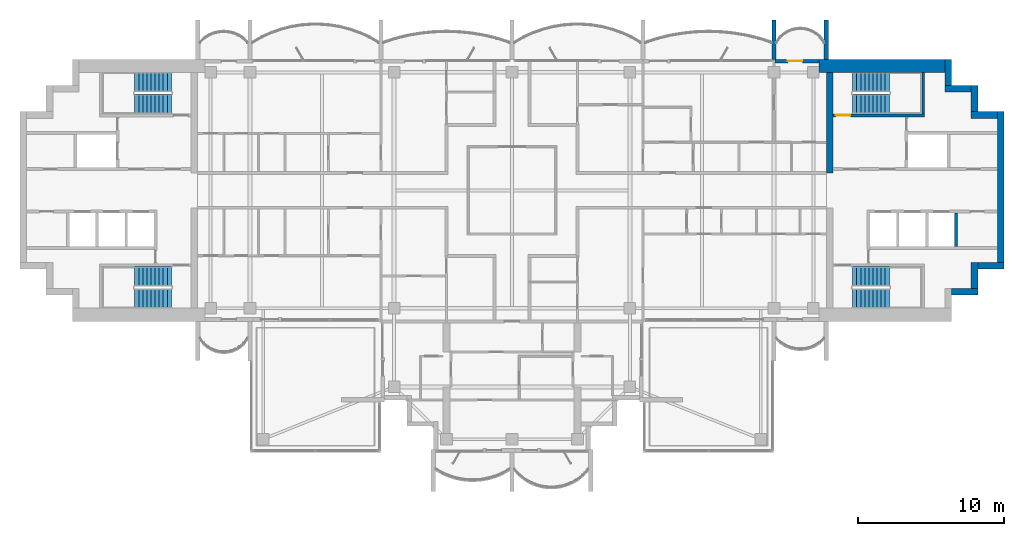
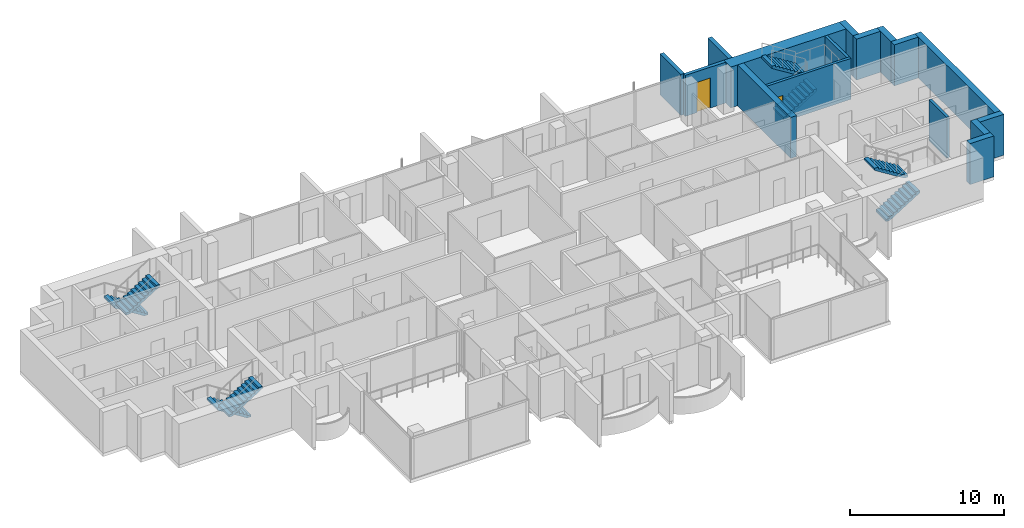
# One storey, part 12 of 16: 16 walls, 8 stair flights, 2 doors, 2 openings, 4 elements without a shape of their own.
"""IFC4 building model written with IfcOpenShell, lengths in metres."""

from ifc_helpers import new_model, si_unit, direction, frame, frame_2d, origin, place, context, subcontext, project, spatial, polyline, rectangle, outline, extrude, material, layer, layer_set, type_object, element, fill, aggregate, save


model = new_model("IFC4")

# Units and contexts
model_context = context("Model", 3, precision=1e-05, world=origin(), true_north=direction((0.0, 1.0)))
body_context = subcontext(model_context, "Body", "Model", "MODEL_VIEW")
ifc_project = project(units=[si_unit("LENGTHUNIT", "METRE"), si_unit("AREAUNIT", "SQUARE_METRE"), si_unit("VOLUMEUNIT", "CUBIC_METRE"), si_unit("PLANEANGLEUNIT", "RADIAN"), si_unit("MASSUNIT", "GRAM", prefix="KILO")], contexts=[model_context])

# Site, building, storey
site_placement = place(None, origin())
site = spatial("IfcSite", under=ifc_project, at=site_placement, CompositionType="ELEMENT")
building_placement = place(site_placement, origin())
building = spatial("IfcBuilding", under=site, at=building_placement, Name="Perihelion Cross Residences", CompositionType="ELEMENT")
storey_placement = place(building_placement, frame((0.0, 0.0, 274.5)))
storey = spatial("IfcBuildingStorey", under=building, at=storey_placement, Name="L70", CompositionType="ELEMENT", Elevation=274.5)

# Wall, opening, door
ifc_material_1 = material(Name="Concrete C30/37, bronze-clad", Category="concrete")
ifc_layer_1 = layer(ifc_material_1, 0.25)
ifc_layer_set_1 = layer_set([ifc_layer_1], Name="Bronze-clad pier wall 250")
wall_type_1 = type_object("IfcWallType", Name="Bronze-clad pier wall 250", PredefinedType="SOLIDWALL", material=ifc_layer_set_1)
wall_1_placement = place(storey_placement, frame((21.10009765625, 8.875, 0.0), z_axis=(0.0, 0.0, 1.0), x_axis=(-1.0, 0.0, 0.0)))
wall_1 = element("IfcWall", 1, at=wall_1_placement, inside=storey, type_object=wall_type_1, Name="Wall FW1 L70 east side north bay 1 pier", PredefinedType="SOLIDWALL", context=body_context, shape_type="SweptSolid", body=[
    extrude(rectangle(XDim=3.0400390625, YDim=0.25, at=frame_2d((1.52001953125, 0.0))), origin(), (0.0, 0.0, 1.0), 3.25),
])
opening_1_placement = place(wall_1_placement, frame((1.14990234375, 0.0, 0.0)))
opening_1 = element("IfcOpeningElement", 2, at=opening_1_placement, cuts=wall_1, Name="Opening L70.E01", PredefinedType="OPENING", context=body_context, shape_type="SweptSolid", body=[
    extrude(rectangle(XDim=1.0, YDim=2.39990234375, at=frame_2d((0.5, 1.199951171875))), frame((0.0, 0.135009765625, 0.0), z_axis=(0.0, -1.0, 0.0), x_axis=(1.0, 0.0, 0.0)), (0.0, 0.0, 1.0), 0.27001953125),
])
ifc_material_2 = material(Name="Bronze anodised aluminium, glazed", Category="aluminium")
door_type_1 = type_object("IfcDoorType", Name="Balcony door 1000 x 2400", OperationType="NOTDEFINED", PredefinedType="DOOR", material=ifc_material_2)
door_1_placement = place(opening_1_placement, origin())
door_1 = element("IfcDoor", 3, at=door_1_placement, inside=storey, type_object=door_type_1, Name="Door L70.E01 east side north bay 1", OperationType="SINGLE_SWING_LEFT", OverallHeight=2.39990234375, OverallWidth=1.0, PredefinedType="DOOR", context=body_context, shape_type="SweptSolid", body=[
    extrude(rectangle(XDim=1.0, YDim=2.39990234375, at=frame_2d((0.5, 1.199951171875))), frame((0.0, 0.02490234375, 0.0), z_axis=(0.0, -1.0, 0.0), x_axis=(1.0, 0.0, 0.0)), (0.0, 0.0, 1.0), 0.050048828125),
])
fill(opening_1, door_1)

# Walls
ifc_material_3 = material(Name="Concrete C60/75", Category="concrete")
ifc_layer_2 = layer(ifc_material_3, 0.449951171875)
ifc_layer_set_2 = layer_set([ifc_layer_2], Name="Core wall, inner 450")
wall_type_2 = type_object("IfcWallType", Name="Core wall, inner 450", PredefinedType="SHEAR", material=ifc_layer_set_2)
wall_2_placement = place(storey_placement, frame((21.824951171875, 1.199951171875, 0.0), z_axis=(0.0, 0.0, 1.0), x_axis=(0.0, 1.0, 0.0)))
element("IfcWall", 4, at=wall_2_placement, inside=storey, type_object=wall_type_2, Name="East core core wall, inner", PredefinedType="SHEAR", context=body_context, shape_type="SweptSolid", body=[
    extrude(rectangle(XDim=6.900146484375, YDim=0.449951171875, at=frame_2d((3.4501953125, 0.0))), origin(), (0.0, 0.0, 1.0), 3.25),
])
ifc_material_4 = material(Name="Concrete C60/75", Category="concrete")
ifc_layer_3 = layer(ifc_material_4, 0.449951171875)
ifc_layer_set_3 = layer_set([ifc_layer_3], Name="Core wall, outer 450")
wall_type_3 = type_object("IfcWallType", Name="Core wall, outer 450", PredefinedType="SHEAR", material=ifc_layer_set_3)
for number, where, z_axis, x_axis, name in (
    (5, (30.199951171875, -6.97509765625, 0.0), (0.0, 0.0, 1.0), (1.0, 0.0, 0.0), "East core core wall, outer"),
    (6, (31.77490234375, -6.75, 0.0), (0.0, 0.0, 1.0), (0.0, 1.0, 0.0), "East core core wall, outer"),
    (7, (32.0, -5.175048828125, 0.0), (0.0, 0.0, 1.0), (1.0, 0.0, 0.0), "East core core wall, outer"),
):
    element("IfcWall", number, at=place(storey_placement, frame(where, z_axis=z_axis, x_axis=x_axis)), inside=storey, type_object=wall_type_3, Name=name, PredefinedType="SHEAR", context=body_context, shape_type="SweptSolid", body=[
        extrude(rectangle(XDim=1.800048828125, YDim=0.449951171875, at=frame_2d((0.89990234375, 0.0))), origin(), (0.0, 0.0, 1.0), 3.25),
    ])
wall_3_placement = place(storey_placement, frame((33.574951171875, -4.949951171875, 0.0), z_axis=(0.0, 0.0, 1.0), x_axis=(0.0, 1.0, 0.0)))
element("IfcWall", 8, at=wall_3_placement, inside=storey, type_object=wall_type_3, Name="East core core wall, outer", PredefinedType="SHEAR", context=body_context, shape_type="SweptSolid", body=[
    extrude(rectangle(XDim=10.349853515625, YDim=0.449951171875, at=frame_2d((5.1748046875, 0.0))), origin(), (0.0, 0.0, 1.0), 3.25),
])
for number, where, z_axis, x_axis, name in (
    (9, (31.550048828125, 5.175048828125, 0.0), (0.0, 0.0, 1.0), (1.0, 0.0, 0.0), "East core core wall, outer"),
    (10, (31.77490234375, 5.39990234375, 0.0), (0.0, 0.0, 1.0), (0.0, 1.0, 0.0), "East core core wall, outer"),
    (11, (29.75, 6.97509765625, 0.0), (0.0, 0.0, 1.0), (1.0, 0.0, 0.0), "East core core wall, outer"),
    (12, (29.97509765625, 7.199951171875, 0.0), (0.0, 0.0, 1.0), (0.0, 1.0, 0.0), "East core core wall, outer"),
):
    element("IfcWall", number, at=place(storey_placement, frame(where, z_axis=z_axis, x_axis=x_axis)), inside=storey, type_object=wall_type_3, Name=name, PredefinedType="SHEAR", context=body_context, shape_type="SweptSolid", body=[
        extrude(rectangle(XDim=1.800048828125, YDim=0.449951171875, at=frame_2d((0.89990234375, 0.0))), origin(), (0.0, 0.0, 1.0), 3.25),
    ])
ifc_material_5 = material(Name="Concrete C60/75", Category="concrete")
ifc_layer_4 = layer(ifc_material_5, 0.89990234375)
ifc_layer_set_4 = layer_set([ifc_layer_4], Name="Core wall, outer 900")
wall_type_4 = type_object("IfcWallType", Name="Core wall, outer 900", PredefinedType="SHEAR", material=ifc_layer_set_4)
wall_4_placement = place(storey_placement, frame((21.10009765625, 8.550048828125, 0.0), z_axis=(0.0, 0.0, 1.0), x_axis=(1.0, 0.0, 0.0)))
element("IfcWall", 13, at=wall_4_placement, inside=storey, type_object=wall_type_4, Name="East core core wall, outer", PredefinedType="SHEAR", context=body_context, shape_type="SweptSolid", body=[
    extrude(rectangle(XDim=8.64990234375, YDim=0.89990234375, at=frame_2d((4.324951171875, 0.0))), origin(), (0.0, 0.0, 1.0), 3.25),
])
ifc_material_6 = material(Name="Precast concrete C50/60", Category="concrete")
ifc_layer_5 = layer(ifc_material_6, 0.300048828125)
ifc_layer_set_5 = layer_set([ifc_layer_5], Name="Precast concrete C50/60 blade wall 300")
wall_type_5 = type_object("IfcWallType", Name="Precast concrete C50/60 blade wall 300", PredefinedType="SOLIDWALL", material=ifc_layer_set_5)
for number, where, z_axis, x_axis, name in (
    (14, (18.0, 9.0, 0.0), (0.0, 0.0, 1.0), (0.0, 1.0, 0.0), "Wall BL1 L70 no. 11"),
    (15, (21.60009765625, 9.0, 0.0), (0.0, 0.0, 1.0), (0.0, 1.0, 0.0), "Wall BL1 L70 no. 13"),
):
    element("IfcWall", number, at=place(storey_placement, frame(where, z_axis=z_axis, x_axis=x_axis)), inside=storey, type_object=wall_type_5, Name=name, PredefinedType="SOLIDWALL", context=body_context, shape_type="SweptSolid", body=[
        extrude(rectangle(XDim=2.699951171875, YDim=0.300048828125, at=frame_2d((1.35009765625, 0.0))), origin(), (0.0, 0.0, 1.0), 3.25),
    ])
ifc_material_7 = material(Name="Concrete C50/60", Category="concrete")
ifc_layer_6 = layer(ifc_material_7, 0.199951171875)
ifc_layer_set_6 = layer_set([ifc_layer_6], Name="Shaft wall 200")
wall_type_6 = type_object("IfcWallType", Name="Shaft wall 200", PredefinedType="SOLIDWALL", material=ifc_layer_set_6)
wall_5_placement = place(storey_placement, frame((30.5, -3.85009765625, 0.0), z_axis=(0.0, 0.0, 1.0), x_axis=(0.0, 1.0, 0.0)))
element("IfcWall", 16, at=wall_5_placement, inside=storey, type_object=wall_type_6, Name="East core shaft wall", PredefinedType="SOLIDWALL", context=body_context, shape_type="SweptSolid", body=[
    extrude(rectangle(XDim=2.300048828125, YDim=0.199951171875, at=frame_2d((1.14990234375, 0.0))), origin(), (0.0, 0.0, 1.0), 3.25),
])

# Wall, opening, door
ifc_material_8 = material(Name="Concrete C50/60", Category="concrete")
ifc_layer_7 = layer(ifc_material_8, 0.199951171875)
ifc_layer_set_7 = layer_set([ifc_layer_7], Name="Stair wall 200")
wall_type_7 = type_object("IfcWallType", Name="Stair wall 200", PredefinedType="SOLIDWALL", material=ifc_layer_set_7)
wall_6_placement = place(storey_placement, frame((22.050048828125, 5.14990234375, 0.0), z_axis=(0.0, 0.0, 1.0), x_axis=(1.0, 0.0, 0.0)))
wall_6 = element("IfcWall", 17, at=wall_6_placement, inside=storey, type_object=wall_type_7, Name="East core stair wall", PredefinedType="SOLIDWALL", context=body_context, shape_type="SweptSolid", body=[
    extrude(rectangle(XDim=6.300048828125, YDim=0.199951171875, at=frame_2d((3.14990234375, 0.0))), origin(), (0.0, 0.0, 1.0), 3.25),
])
opening_2_placement = place(wall_6_placement, frame((0.199951171875, 0.0, 0.0)))
opening_2 = element("IfcOpeningElement", 18, at=opening_2_placement, cuts=wall_6, Name="Opening L70.C06", PredefinedType="OPENING", context=body_context, shape_type="SweptSolid", body=[
    extrude(rectangle(XDim=1.0, YDim=2.10009765625, at=frame_2d((0.5, 1.050048828125))), frame((0.0, 0.10986328125, 0.0), z_axis=(0.0, -1.0, 0.0), x_axis=(1.0, 0.0, 0.0)), (0.0, 0.0, 1.0), 0.219970703125),
])
ifc_material_9 = material(Name="Steel, powder coated", Category="steel")
door_type_2 = type_object("IfcDoorType", Name="Stair door 1000", OperationType="SINGLE_SWING_LEFT", PredefinedType="DOOR", material=ifc_material_9)
door_2_placement = place(opening_2_placement, origin())
door_2 = element("IfcDoor", 19, at=door_2_placement, inside=storey, type_object=door_type_2, Name="East core stair door", OperationType="SINGLE_SWING_LEFT", OverallHeight=2.10009765625, OverallWidth=1.0, PredefinedType="DOOR", context=body_context, shape_type="SweptSolid", body=[
    extrude(rectangle(XDim=1.0, YDim=2.10009765625, at=frame_2d((0.5, 1.050048828125))), frame((0.0, 0.02490234375, 0.0), z_axis=(0.0, -1.0, 0.0), x_axis=(1.0, 0.0, 0.0)), (0.0, 0.0, 1.0), 0.050048828125),
])
fill(opening_2, door_2)

# Wall
wall_7_placement = place(storey_placement, frame((28.25, 5.25, 0.0), z_axis=(0.0, 0.0, 1.0), x_axis=(0.0, 1.0, 0.0)))
element("IfcWall", 20, at=wall_7_placement, inside=storey, type_object=wall_type_7, Name="East core stair wall", PredefinedType="SOLIDWALL", context=body_context, shape_type="SweptSolid", body=[
    extrude(rectangle(XDim=2.85009765625, YDim=0.199951171875, at=frame_2d((1.425048828125, 0.0))), origin(), (0.0, 0.0, 1.0), 3.25),
])

# Stair, stair flights
ifc_material_10 = material(Name="Concrete C40/50", Category="concrete")
stair_type = type_object("IfcStairType", Name="Exit stair, half-turn", PredefinedType="HALF_TURN_STAIR", material=ifc_material_10)
stair_1_placement = place(storey_placement, origin())
stair_1 = element("IfcStair", 21, at=stair_1_placement, inside=storey, type_object=stair_type, Name="L70 East core exit stair 1", PredefinedType="HALF_TURN_STAIR")
ifc_material_11 = material(Name="Concrete C40/50", Category="concrete")
stair_flight_type = type_object("IfcStairFlightType", Name="Exit stair flight", PredefinedType="STRAIGHT", material=ifc_material_11)
stair_flight_1_placement = place(storey_placement, frame((23.39990234375, 5.925048828125, 0.0), z_axis=(0.0, 0.0, 1.0), x_axis=(1.0, 0.0, 0.0)))
stair_flight_1 = element("IfcStairFlight", 22, at=stair_flight_1_placement, type_object=stair_flight_type, Name="ST-E1 flight 1", NumberOfRisers=10, NumberOfTreads=9, PredefinedType="STRAIGHT", RiserHeight=0.175, TreadLength=0.28, context=body_context, shape_type="SweptSolid", body=[
    extrude(outline(polyline([(0.0, 0.0), (0.0, 0.175048828125), (0.280029296875, 0.175048828125), (0.280029296875, 0.35009765625), (0.56005859375, 0.35009765625), (0.56005859375, 0.52490234375), (0.840087890625, 0.52490234375), (0.840087890625, 0.699951171875), (1.1201171875, 0.699951171875), (1.1201171875, 0.875), (1.39990234375, 0.875), (1.39990234375, 1.050048828125), (1.679931640625, 1.050048828125), (1.679931640625, 1.22509765625), (1.9599609375, 1.22509765625), (1.9599609375, 1.39990234375), (2.239990234375, 1.39990234375), (2.239990234375, 1.574951171875), (2.52001953125, 1.574951171875), (2.52001953125, 1.75), (2.52001953125, 1.398193359375), (0.28271484375, 0.0), (0.0, 0.0)])), frame((0.0, 0.675048828125, 0.0), z_axis=(0.0, -1.0, 0.0), x_axis=(1.0, 0.0, 0.0)), (0.0, 0.0, 1.0), 1.35009765625),
])
stair_flight_2_placement = place(storey_placement, frame((25.919921875, 7.425048828125, 1.75), z_axis=(0.0, 0.0, 1.0), x_axis=(-1.0, 0.0, 0.0)))
stair_flight_2 = element("IfcStairFlight", 23, at=stair_flight_2_placement, type_object=stair_flight_type, Name="ST-E1 flight 2", NumberOfRisers=10, NumberOfTreads=9, PredefinedType="STRAIGHT", RiserHeight=0.175, TreadLength=0.28, context=body_context, shape_type="SweptSolid", body=[
    extrude(outline(polyline([(0.0, 0.0), (0.0, 0.175048828125), (0.280029296875, 0.175048828125), (0.280029296875, 0.35009765625), (0.56005859375, 0.35009765625), (0.56005859375, 0.52490234375), (0.840087890625, 0.52490234375), (0.840087890625, 0.699951171875), (1.1201171875, 0.699951171875), (1.1201171875, 0.875), (1.39990234375, 0.875), (1.39990234375, 1.050048828125), (1.679931640625, 1.050048828125), (1.679931640625, 1.22509765625), (1.9599609375, 1.22509765625), (1.9599609375, 1.39990234375), (2.239990234375, 1.39990234375), (2.239990234375, 1.574951171875), (2.52001953125, 1.574951171875), (2.52001953125, 1.75), (2.52001953125, 1.398193359375), (0.28271484375, 0.0), (0.0, 0.0)])), frame((0.0, 0.675048828125, 0.0), z_axis=(0.0, -1.0, 0.0), x_axis=(1.0, 0.0, 0.0)), (0.0, 0.0, 1.0), 1.35009765625),
])
aggregate(stair_1, [stair_flight_1, stair_flight_2])

stair_2_placement = place(storey_placement, origin())
stair_2 = element("IfcStair", 24, at=stair_2_placement, inside=storey, type_object=stair_type, Name="L70 East core exit stair 2", PredefinedType="HALF_TURN_STAIR")
stair_flight_3_placement = place(storey_placement, frame((23.39990234375, -7.425048828125, 0.0), z_axis=(0.0, 0.0, 1.0), x_axis=(1.0, 0.0, 0.0)))
stair_flight_3 = element("IfcStairFlight", 25, at=stair_flight_3_placement, type_object=stair_flight_type, Name="ST-E2 flight 1", NumberOfRisers=10, NumberOfTreads=9, PredefinedType="STRAIGHT", RiserHeight=0.175, TreadLength=0.28, context=body_context, shape_type="SweptSolid", body=[
    extrude(outline(polyline([(0.0, 0.0), (0.0, 0.175048828125), (0.280029296875, 0.175048828125), (0.280029296875, 0.35009765625), (0.56005859375, 0.35009765625), (0.56005859375, 0.52490234375), (0.840087890625, 0.52490234375), (0.840087890625, 0.699951171875), (1.1201171875, 0.699951171875), (1.1201171875, 0.875), (1.39990234375, 0.875), (1.39990234375, 1.050048828125), (1.679931640625, 1.050048828125), (1.679931640625, 1.22509765625), (1.9599609375, 1.22509765625), (1.9599609375, 1.39990234375), (2.239990234375, 1.39990234375), (2.239990234375, 1.574951171875), (2.52001953125, 1.574951171875), (2.52001953125, 1.75), (2.52001953125, 1.398193359375), (0.28271484375, 0.0), (0.0, 0.0)])), frame((0.0, 0.675048828125, 0.0), z_axis=(0.0, -1.0, 0.0), x_axis=(1.0, 0.0, 0.0)), (0.0, 0.0, 1.0), 1.35009765625),
])
stair_flight_4_placement = place(storey_placement, frame((25.919921875, -5.925048828125, 1.75), z_axis=(0.0, 0.0, 1.0), x_axis=(-1.0, 0.0, 0.0)))
stair_flight_4 = element("IfcStairFlight", 26, at=stair_flight_4_placement, type_object=stair_flight_type, Name="ST-E2 flight 2", NumberOfRisers=10, NumberOfTreads=9, PredefinedType="STRAIGHT", RiserHeight=0.175, TreadLength=0.28, context=body_context, shape_type="SweptSolid", body=[
    extrude(outline(polyline([(0.0, 0.0), (0.0, 0.175048828125), (0.280029296875, 0.175048828125), (0.280029296875, 0.35009765625), (0.56005859375, 0.35009765625), (0.56005859375, 0.52490234375), (0.840087890625, 0.52490234375), (0.840087890625, 0.699951171875), (1.1201171875, 0.699951171875), (1.1201171875, 0.875), (1.39990234375, 0.875), (1.39990234375, 1.050048828125), (1.679931640625, 1.050048828125), (1.679931640625, 1.22509765625), (1.9599609375, 1.22509765625), (1.9599609375, 1.39990234375), (2.239990234375, 1.39990234375), (2.239990234375, 1.574951171875), (2.52001953125, 1.574951171875), (2.52001953125, 1.75), (2.52001953125, 1.398193359375), (0.28271484375, 0.0), (0.0, 0.0)])), frame((0.0, 0.675048828125, 0.0), z_axis=(0.0, -1.0, 0.0), x_axis=(1.0, 0.0, 0.0)), (0.0, 0.0, 1.0), 1.35009765625),
])
aggregate(stair_2, [stair_flight_3, stair_flight_4])

stair_3_placement = place(storey_placement, origin())
stair_3 = element("IfcStair", 27, at=stair_3_placement, inside=storey, type_object=stair_type, Name="L70 West core exit stair 1", PredefinedType="HALF_TURN_STAIR")
stair_flight_5_placement = place(storey_placement, frame((-23.39990234375, 7.425048828125, 0.0), z_axis=(0.0, 0.0, 1.0), x_axis=(-1.0, 0.0, 0.0)))
stair_flight_5 = element("IfcStairFlight", 28, at=stair_flight_5_placement, type_object=stair_flight_type, Name="ST-W1 flight 1", NumberOfRisers=10, NumberOfTreads=9, PredefinedType="STRAIGHT", RiserHeight=0.175, TreadLength=0.28, context=body_context, shape_type="SweptSolid", body=[
    extrude(outline(polyline([(0.0, 0.0), (0.0, 0.175048828125), (0.280029296875, 0.175048828125), (0.280029296875, 0.35009765625), (0.56005859375, 0.35009765625), (0.56005859375, 0.52490234375), (0.840087890625, 0.52490234375), (0.840087890625, 0.699951171875), (1.1201171875, 0.699951171875), (1.1201171875, 0.875), (1.39990234375, 0.875), (1.39990234375, 1.050048828125), (1.679931640625, 1.050048828125), (1.679931640625, 1.22509765625), (1.9599609375, 1.22509765625), (1.9599609375, 1.39990234375), (2.239990234375, 1.39990234375), (2.239990234375, 1.574951171875), (2.52001953125, 1.574951171875), (2.52001953125, 1.75), (2.52001953125, 1.398193359375), (0.28271484375, 0.0), (0.0, 0.0)])), frame((0.0, 0.675048828125, 0.0), z_axis=(0.0, -1.0, 0.0), x_axis=(1.0, 0.0, 0.0)), (0.0, 0.0, 1.0), 1.35009765625),
])
stair_flight_6_placement = place(storey_placement, frame((-25.919921875, 5.925048828125, 1.75), z_axis=(0.0, 0.0, 1.0), x_axis=(1.0, 0.0, 0.0)))
stair_flight_6 = element("IfcStairFlight", 29, at=stair_flight_6_placement, type_object=stair_flight_type, Name="ST-W1 flight 2", NumberOfRisers=10, NumberOfTreads=9, PredefinedType="STRAIGHT", RiserHeight=0.175, TreadLength=0.28, context=body_context, shape_type="SweptSolid", body=[
    extrude(outline(polyline([(0.0, 0.0), (0.0, 0.175048828125), (0.280029296875, 0.175048828125), (0.280029296875, 0.35009765625), (0.56005859375, 0.35009765625), (0.56005859375, 0.52490234375), (0.840087890625, 0.52490234375), (0.840087890625, 0.699951171875), (1.1201171875, 0.699951171875), (1.1201171875, 0.875), (1.39990234375, 0.875), (1.39990234375, 1.050048828125), (1.679931640625, 1.050048828125), (1.679931640625, 1.22509765625), (1.9599609375, 1.22509765625), (1.9599609375, 1.39990234375), (2.239990234375, 1.39990234375), (2.239990234375, 1.574951171875), (2.52001953125, 1.574951171875), (2.52001953125, 1.75), (2.52001953125, 1.398193359375), (0.28271484375, 0.0), (0.0, 0.0)])), frame((0.0, 0.675048828125, 0.0), z_axis=(0.0, -1.0, 0.0), x_axis=(1.0, 0.0, 0.0)), (0.0, 0.0, 1.0), 1.35009765625),
])
aggregate(stair_3, [stair_flight_5, stair_flight_6])

stair_4_placement = place(storey_placement, origin())
stair_4 = element("IfcStair", 30, at=stair_4_placement, inside=storey, type_object=stair_type, Name="L70 West core exit stair 2", PredefinedType="HALF_TURN_STAIR")
stair_flight_7_placement = place(storey_placement, frame((-23.39990234375, -5.925048828125, 0.0), z_axis=(0.0, 0.0, 1.0), x_axis=(-1.0, 0.0, 0.0)))
stair_flight_7 = element("IfcStairFlight", 31, at=stair_flight_7_placement, type_object=stair_flight_type, Name="ST-W2 flight 1", NumberOfRisers=10, NumberOfTreads=9, PredefinedType="STRAIGHT", RiserHeight=0.175, TreadLength=0.28, context=body_context, shape_type="SweptSolid", body=[
    extrude(outline(polyline([(0.0, 0.0), (0.0, 0.175048828125), (0.280029296875, 0.175048828125), (0.280029296875, 0.35009765625), (0.56005859375, 0.35009765625), (0.56005859375, 0.52490234375), (0.840087890625, 0.52490234375), (0.840087890625, 0.699951171875), (1.1201171875, 0.699951171875), (1.1201171875, 0.875), (1.39990234375, 0.875), (1.39990234375, 1.050048828125), (1.679931640625, 1.050048828125), (1.679931640625, 1.22509765625), (1.9599609375, 1.22509765625), (1.9599609375, 1.39990234375), (2.239990234375, 1.39990234375), (2.239990234375, 1.574951171875), (2.52001953125, 1.574951171875), (2.52001953125, 1.75), (2.52001953125, 1.398193359375), (0.28271484375, 0.0), (0.0, 0.0)])), frame((0.0, 0.675048828125, 0.0), z_axis=(0.0, -1.0, 0.0), x_axis=(1.0, 0.0, 0.0)), (0.0, 0.0, 1.0), 1.35009765625),
])
stair_flight_8_placement = place(storey_placement, frame((-25.919921875, -7.425048828125, 1.75), z_axis=(0.0, 0.0, 1.0), x_axis=(1.0, 0.0, 0.0)))
stair_flight_8 = element("IfcStairFlight", 32, at=stair_flight_8_placement, type_object=stair_flight_type, Name="ST-W2 flight 2", NumberOfRisers=10, NumberOfTreads=9, PredefinedType="STRAIGHT", RiserHeight=0.175, TreadLength=0.28, context=body_context, shape_type="SweptSolid", body=[
    extrude(outline(polyline([(0.0, 0.0), (0.0, 0.175048828125), (0.280029296875, 0.175048828125), (0.280029296875, 0.35009765625), (0.56005859375, 0.35009765625), (0.56005859375, 0.52490234375), (0.840087890625, 0.52490234375), (0.840087890625, 0.699951171875), (1.1201171875, 0.699951171875), (1.1201171875, 0.875), (1.39990234375, 0.875), (1.39990234375, 1.050048828125), (1.679931640625, 1.050048828125), (1.679931640625, 1.22509765625), (1.9599609375, 1.22509765625), (1.9599609375, 1.39990234375), (2.239990234375, 1.39990234375), (2.239990234375, 1.574951171875), (2.52001953125, 1.574951171875), (2.52001953125, 1.75), (2.52001953125, 1.398193359375), (0.28271484375, 0.0), (0.0, 0.0)])), frame((0.0, 0.675048828125, 0.0), z_axis=(0.0, -1.0, 0.0), x_axis=(1.0, 0.0, 0.0)), (0.0, 0.0, 1.0), 1.35009765625),
])
aggregate(stair_4, [stair_flight_7, stair_flight_8])

save(model, "model.ifc")
